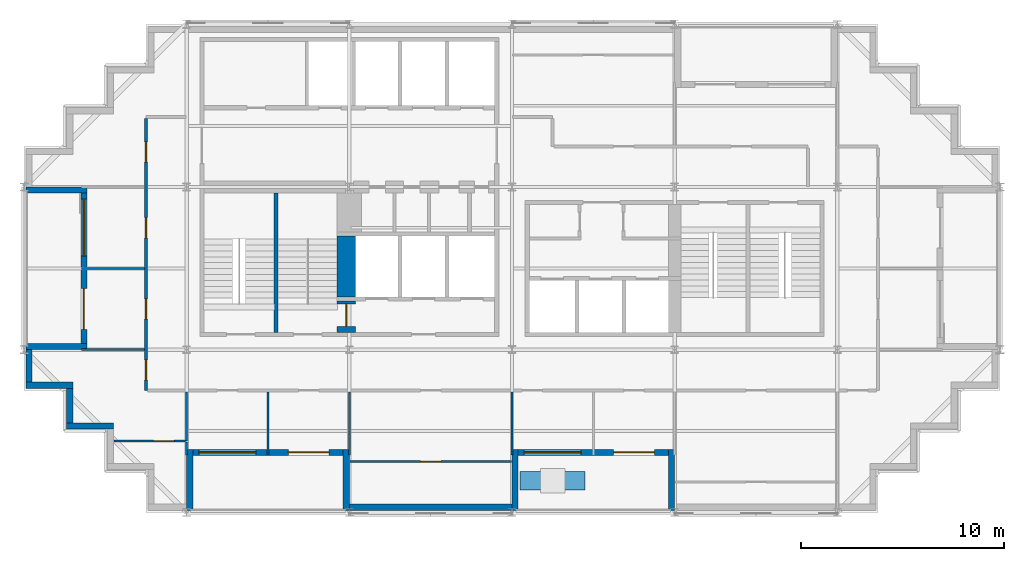
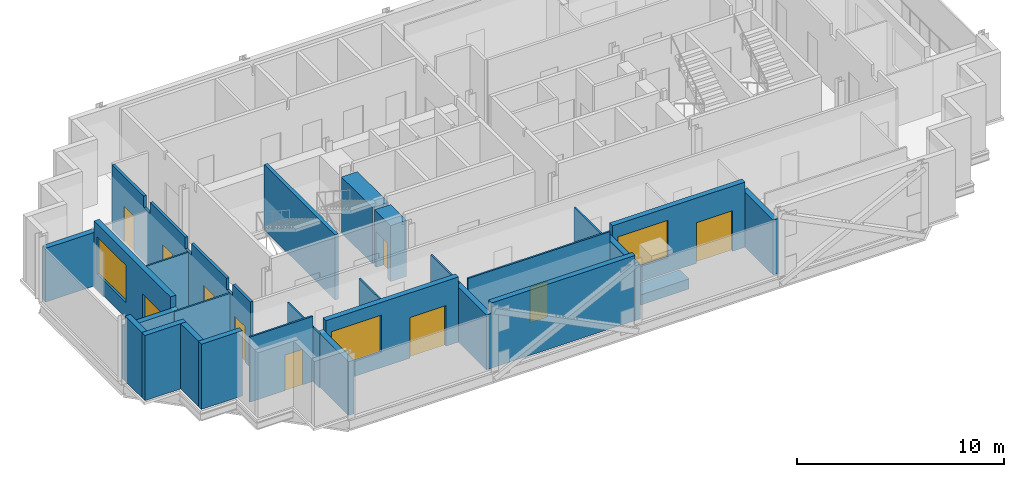
# One storey, part 4 of 10: 28 walls, 10 doors, 3 windows, 13 openings.
"""IFC4 building model written with IfcOpenShell, lengths in metres."""

from ifc_helpers import new_model, si_unit, direction, frame, frame_2d, origin, place, context, subcontext, project, spatial, polyline, rectangle, outline, extrude, material, layer, layer_set, type_object, element, fill, save


model = new_model("IFC4")

# Units and contexts
model_context = context("Model", 3, precision=1e-05, world=origin(), true_north=direction((0.0, 1.0)))
body_context = subcontext(model_context, "Body", "Model", "MODEL_VIEW")
ifc_project = project(units=[si_unit("LENGTHUNIT", "METRE"), si_unit("AREAUNIT", "SQUARE_METRE"), si_unit("VOLUMEUNIT", "CUBIC_METRE"), si_unit("PLANEANGLEUNIT", "RADIAN"), si_unit("MASSUNIT", "GRAM", prefix="KILO")], contexts=[model_context])

# Site, building, storey
site_placement = place(None, origin())
site = spatial("IfcSite", under=ifc_project, at=site_placement, CompositionType="ELEMENT")
building_placement = place(site_placement, origin())
building = spatial("IfcBuilding", under=site, at=building_placement, Name="Immortelle Media Tower", CompositionType="ELEMENT")
storey_placement = place(building_placement, frame((0.0, 0.0, 255.0)))
storey = spatial("IfcBuildingStorey", under=building, at=storey_placement, Name="L55", CompositionType="ELEMENT", Elevation=255.0)

# Wall, openings, doors
ifc_material_1 = material(Name="Fire-rated gypsum board", Category="gypsum")
ifc_layer_1 = layer(ifc_material_1, 0.012451171875)
ifc_material_2 = material(Name="Steel ASTM A653 SS Gr 50 stud frame with mineral wool", Category="steel")
ifc_layer_2 = layer(ifc_material_2, 0.125)
ifc_layer_3 = layer(ifc_material_1, 0.012451171875)
ifc_layer_set_1 = layer_set([ifc_layer_1, ifc_layer_2, ifc_layer_3], Name="Steel ASTM A653 SS Gr 50 stud frame with mineral wool")
wall_type_1 = type_object("IfcWallType", Name="Corridor wall 150", PredefinedType="PARTITIONING", material=ifc_layer_set_1)
wall_1_placement = place(storey_placement, frame((6.0, 6.0, 0.0), z_axis=(0.0, 0.0, 1.0), x_axis=(0.0, 1.0, 0.0)))
wall_1 = element("IfcWall", 1, at=wall_1_placement, inside=storey, type_object=wall_type_1, Name="Partition L55-014", PredefinedType="PARTITIONING", context=body_context, shape_type="SweptSolid", body=[
    extrude(outline(polyline([(0.0, 0.0), (13.375, 0.0), (13.375, 3.85009765625), (10.300048828125, 3.85009765625), (10.298095703125, 3.172119140625), (9.701904296875, 3.172119140625), (9.699951171875, 3.85009765625), (6.300048828125, 3.85009765625), (6.298095703125, 3.172119140625), (5.701904296875, 3.172119140625), (5.699951171875, 3.85009765625), (2.300048828125, 3.85009765625), (2.298095703125, 3.172119140625), (1.701904296875, 3.172119140625), (1.699951171875, 3.85009765625), (0.0, 3.85009765625), (0.0, 0.0)])), frame((0.0, 0.074951171875, 0.0), z_axis=(0.0, -1.0, 0.0), x_axis=(1.0, 0.0, 0.0)), (0.0, 0.0, 1.0), 0.14990234375),
])
opening_1_placement = place(wall_1_placement, frame((0.5, 0.0, 0.0)))
opening_1 = element("IfcOpeningElement", 2, at=opening_1_placement, cuts=wall_1, Name="Opening X1-F009", PredefinedType="OPENING", context=body_context, shape_type="SweptSolid", body=[
    extrude(rectangle(XDim=1.0, YDim=2.10009765625, at=frame_2d((0.5, 1.050048828125))), frame((0.0, 0.0849609375, 0.0), z_axis=(0.0, -1.0, 0.0), x_axis=(1.0, 0.0, 0.0)), (0.0, 0.0, 1.0), 0.169921875),
])
opening_2_placement = place(wall_1_placement, frame((3.5, 0.0, 0.0)))
opening_2 = element("IfcOpeningElement", 3, at=opening_2_placement, cuts=wall_1, Name="Opening X1-F012", PredefinedType="OPENING", context=body_context, shape_type="SweptSolid", body=[
    extrude(rectangle(XDim=1.0, YDim=2.10009765625, at=frame_2d((0.5, 1.050048828125))), frame((0.0, 0.0849609375, 0.0), z_axis=(0.0, -1.0, 0.0), x_axis=(1.0, 0.0, 0.0)), (0.0, 0.0, 1.0), 0.169921875),
])
opening_3_placement = place(wall_1_placement, frame((7.5, 0.0, 0.0)))
opening_3 = element("IfcOpeningElement", 4, at=opening_3_placement, cuts=wall_1, Name="Opening X1-F013", PredefinedType="OPENING", context=body_context, shape_type="SweptSolid", body=[
    extrude(rectangle(XDim=1.0, YDim=2.10009765625, at=frame_2d((0.5, 1.050048828125))), frame((0.0, 0.0849609375, 0.0), z_axis=(0.0, -1.0, 0.0), x_axis=(1.0, 0.0, 0.0)), (0.0, 0.0, 1.0), 0.169921875),
])
opening_4_placement = place(wall_1_placement, frame((11.22509765625, 0.0, 0.0)))
opening_4 = element("IfcOpeningElement", 5, at=opening_4_placement, cuts=wall_1, Name="Opening X1-F016", PredefinedType="OPENING", context=body_context, shape_type="SweptSolid", body=[
    extrude(rectangle(XDim=1.0, YDim=2.10009765625, at=frame_2d((0.5, 1.050048828125))), frame((0.0, 0.0849609375, 0.0), z_axis=(0.0, -1.0, 0.0), x_axis=(1.0, 0.0, 0.0)), (0.0, 0.0, 1.0), 0.169921875),
])
ifc_material_3 = material(Name="Timber veneered door leaf, galvanised steel frame ASTM A653", Category="steel")
door_type_1 = type_object("IfcDoorType", Name="Room door 1000 x 2100", OperationType="NOTDEFINED", PredefinedType="DOOR", material=ifc_material_3)
door_1_placement = place(opening_1_placement, origin())
door_1 = element("IfcDoor", 6, at=door_1_placement, inside=storey, type_object=door_type_1, Name="Door X1-F009", OperationType="SINGLE_SWING_RIGHT", OverallHeight=2.10009765625, OverallWidth=1.0, PredefinedType="DOOR", context=body_context, shape_type="SweptSolid", body=[
    extrude(rectangle(XDim=1.0, YDim=2.10009765625, at=frame_2d((0.5, 1.050048828125))), frame((0.0, 0.02490234375, 0.0), z_axis=(0.0, -1.0, 0.0), x_axis=(1.0, 0.0, 0.0)), (0.0, 0.0, 1.0), 0.050048828125),
])
fill(opening_1, door_1)
door_2_placement = place(opening_2_placement, origin())
door_2 = element("IfcDoor", 7, at=door_2_placement, inside=storey, type_object=door_type_1, Name="Door X1-F012", OperationType="SINGLE_SWING_LEFT", OverallHeight=2.10009765625, OverallWidth=1.0, PredefinedType="DOOR", context=body_context, shape_type="SweptSolid", body=[
    extrude(rectangle(XDim=1.0, YDim=2.10009765625, at=frame_2d((0.5, 1.050048828125))), frame((0.0, 0.02490234375, 0.0), z_axis=(0.0, -1.0, 0.0), x_axis=(1.0, 0.0, 0.0)), (0.0, 0.0, 1.0), 0.050048828125),
])
fill(opening_2, door_2)
door_3_placement = place(opening_3_placement, origin())
door_3 = element("IfcDoor", 8, at=door_3_placement, inside=storey, type_object=door_type_1, Name="Door X1-F013", OperationType="SINGLE_SWING_LEFT", OverallHeight=2.10009765625, OverallWidth=1.0, PredefinedType="DOOR", context=body_context, shape_type="SweptSolid", body=[
    extrude(rectangle(XDim=1.0, YDim=2.10009765625, at=frame_2d((0.5, 1.050048828125))), frame((0.0, 0.02490234375, 0.0), z_axis=(0.0, -1.0, 0.0), x_axis=(1.0, 0.0, 0.0)), (0.0, 0.0, 1.0), 0.050048828125),
])
fill(opening_3, door_3)
door_4_placement = place(opening_4_placement, origin())
door_4 = element("IfcDoor", 9, at=door_4_placement, inside=storey, type_object=door_type_1, Name="Door X1-F016", OperationType="SINGLE_SWING_LEFT", OverallHeight=2.10009765625, OverallWidth=1.0, PredefinedType="DOOR", context=body_context, shape_type="SweptSolid", body=[
    extrude(rectangle(XDim=1.0, YDim=2.10009765625, at=frame_2d((0.5, 1.050048828125))), frame((0.0, 0.02490234375, 0.0), z_axis=(0.0, -1.0, 0.0), x_axis=(1.0, 0.0, 0.0)), (0.0, 0.0, 1.0), 0.050048828125),
])
fill(opening_4, door_4)

# Walls
ifc_material_4 = material(Name="Pale aluminium cladding panel", Category="aluminium")
ifc_layer_4 = layer(ifc_material_4, 0.030029296875)
ifc_layer_5 = layer(ifc_material_2, 0.257568359375)
ifc_material_5 = material(Name="Moisture-resistant gypsum board", Category="gypsum")
ifc_layer_6 = layer(ifc_material_5, 0.012451171875)
ifc_layer_set_2 = layer_set([ifc_layer_4, ifc_layer_5, ifc_layer_6], Name="Steel ASTM A653 SS Gr 50 stud frame with mineral wool")
wall_type_2 = type_object("IfcWallType", Name="Facade wall 300", PredefinedType="SOLIDWALL", material=ifc_layer_set_2)
wall_2_placement = place(storey_placement, frame((0.10009765625, 6.25, 0.0), z_axis=(0.0, 0.0, 1.0), x_axis=(1.0, 0.0, 0.0)))
element("IfcWall", 10, at=wall_2_placement, inside=storey, type_object=wall_type_2, Name="Facade wall L55 S0", PredefinedType="SOLIDWALL", context=body_context, shape_type="SweptSolid", body=[
    extrude(rectangle(XDim=2.2998046875, YDim=0.300048828125, at=frame_2d((1.14990234375, 0.0))), origin(), (0.0, 0.0, 1.0), 3.85009765625),
])
wall_3_placement = place(storey_placement, frame((2.25, 6.10009765625, 0.0), z_axis=(0.0, 0.0, 1.0), x_axis=(0.0, -1.0, 0.0)))
element("IfcWall", 11, at=wall_3_placement, inside=storey, type_object=wall_type_2, Name="Facade wall L55 W1", PredefinedType="SOLIDWALL", context=body_context, shape_type="SweptSolid", body=[
    extrude(rectangle(XDim=1.7001953125, YDim=0.300048828125, at=frame_2d((0.85009765625, 0.0))), origin(), (0.0, 0.0, 1.0), 3.85009765625),
])
wall_4_placement = place(storey_placement, frame((2.10009765625, 4.25, 0.0), z_axis=(0.0, 0.0, 1.0), x_axis=(1.0, 0.0, 0.0)))
element("IfcWall", 12, at=wall_4_placement, inside=storey, type_object=wall_type_2, Name="Facade wall L55 S2", PredefinedType="SOLIDWALL", context=body_context, shape_type="SweptSolid", body=[
    extrude(rectangle(XDim=2.2998046875, YDim=0.300048828125, at=frame_2d((1.14990234375, 0.0))), origin(), (0.0, 0.0, 1.0), 3.85009765625),
])

# Wall, openings, door, window
wall_5_placement = place(storey_placement, frame((8.300048828125, 2.949951171875, 0.0), z_axis=(0.0, 0.0, 1.0), x_axis=(1.0, 0.0, 0.0)))
wall_5 = element("IfcWall", 13, at=wall_5_placement, inside=storey, type_object=wall_type_2, Name="Loggia wall L55 S6", PredefinedType="SOLIDWALL", context=body_context, shape_type="SweptSolid", body=[
    extrude(rectangle(XDim=7.39990234375, YDim=0.300048828125, at=frame_2d((3.699951171875, 0.0))), origin(), (0.0, 0.0, 1.0), 3.85009765625),
])
opening_5_placement = place(wall_5_placement, frame((0.300048828125, 0.0, 0.89990234375)))
opening_5 = element("IfcOpeningElement", 14, at=opening_5_placement, cuts=wall_5, Name="Opening W1", PredefinedType="OPENING", context=body_context, shape_type="SweptSolid", body=[
    extrude(rectangle(XDim=2.800048828125, YDim=2.199951171875, at=frame_2d((1.39990234375, 1.10009765625))), frame((0.0, 0.159912109375, 0.0), z_axis=(0.0, -1.0, 0.0), x_axis=(1.0, 0.0, 0.0)), (0.0, 0.0, 1.0), 0.320068359375),
])
opening_6_placement = place(wall_5_placement, frame((4.699951171875, 0.0, 0.0)))
opening_6 = element("IfcOpeningElement", 15, at=opening_6_placement, cuts=wall_5, Name="Opening X1-E001", PredefinedType="OPENING", context=body_context, shape_type="SweptSolid", body=[
    extrude(rectangle(XDim=2.0, YDim=2.39990234375, at=frame_2d((1.0, 1.199951171875))), frame((0.0, 0.159912109375, 0.0), z_axis=(0.0, -1.0, 0.0), x_axis=(1.0, 0.0, 0.0)), (0.0, 0.0, 1.0), 0.320068359375),
])
ifc_material_6 = material(Name="Aluminium frame, glazed leaves", Category="aluminium")
door_type_2 = type_object("IfcDoorType", Name="Loggia door 2000 x 2400", OperationType="DOUBLE_DOOR_SINGLE_SWING", PredefinedType="DOOR", material=ifc_material_6)
door_5_placement = place(opening_6_placement, origin())
door_5 = element("IfcDoor", 16, at=door_5_placement, inside=storey, type_object=door_type_2, Name="Door X1-E001", OperationType="DOUBLE_DOOR_SINGLE_SWING", OverallHeight=2.39990234375, OverallWidth=2.0, PredefinedType="DOOR", context=body_context, shape_type="SweptSolid", body=[
    extrude(rectangle(XDim=2.0, YDim=2.39990234375, at=frame_2d((1.0, 1.199951171875))), frame((0.0, 0.02490234375, 0.0), z_axis=(0.0, -1.0, 0.0), x_axis=(1.0, 0.0, 0.0)), (0.0, 0.0, 1.0), 0.050048828125),
])
fill(opening_6, door_5)
ifc_material_7 = material(Name="Aluminium frame", Category="aluminium")
window_type = type_object("IfcWindowType", Name="Window 2800 x 2200", PartitioningType="SINGLE_PANEL", PredefinedType="WINDOW", material=ifc_material_7)
window_1_placement = place(opening_5_placement, origin())
window_1 = element("IfcWindow", 17, at=window_1_placement, inside=storey, type_object=window_type, Name="Window L55 L55-R6-B0", OverallHeight=2.199951171875, OverallWidth=2.800048828125, PartitioningType="SINGLE_PANEL", PredefinedType="WINDOW", context=body_context, shape_type="SweptSolid", body=[
    extrude(rectangle(XDim=2.800048828125, YDim=2.199951171875, at=frame_2d((1.39990234375, 1.10009765625))), frame((0.0, 0.030029296875, 0.0), z_axis=(0.0, -1.0, 0.0), x_axis=(1.0, 0.0, 0.0)), (0.0, 0.0, 1.0), 0.06005859375),
])
fill(opening_5, window_1)

# Walls
wall_6_placement = place(storey_placement, frame((8.14990234375, 0.10009765625, 0.0), z_axis=(0.0, 0.0, 1.0), x_axis=(0.0, 1.0, 0.0)))
element("IfcWall", 18, at=wall_6_placement, inside=storey, type_object=wall_type_2, Name="Loggia cheek wall L55 S", PredefinedType="SOLIDWALL", context=body_context, shape_type="SweptSolid", body=[
    extrude(rectangle(XDim=3.0, YDim=0.300048828125, at=frame_2d((1.5, 0.0))), origin(), (0.0, 0.0, 1.0), 3.1708984375),
])
wall_7_placement = place(storey_placement, frame((15.85009765625, 0.10009765625, 0.0), z_axis=(0.0, 0.0, 1.0), x_axis=(0.0, 1.0, 0.0)))
element("IfcWall", 19, at=wall_7_placement, inside=storey, type_object=wall_type_2, Name="Loggia cheek wall L55 S", PredefinedType="SOLIDWALL", context=body_context, shape_type="SweptSolid", body=[
    extrude(rectangle(XDim=3.0, YDim=0.300048828125, at=frame_2d((1.5, 0.0))), origin(), (0.0, 0.0, 1.0), 3.237060546875),
])
wall_8_placement = place(storey_placement, frame((16.0, 0.25, 0.0), z_axis=(0.0, 0.0, 1.0), x_axis=(1.0, 0.0, 0.0)))
element("IfcWall", 20, at=wall_8_placement, inside=storey, type_object=wall_type_2, Name="Facade wall L55 S6", PredefinedType="SOLIDWALL", context=body_context, shape_type="SweptSolid", body=[
    extrude(rectangle(XDim=8.0, YDim=0.300048828125, at=frame_2d((4.0, 0.0))), origin(), (0.0, 0.0, 1.0), 3.85009765625),
])

# Wall, openings, door, window
wall_9_placement = place(storey_placement, frame((24.300048828125, 2.949951171875, 0.0), z_axis=(0.0, 0.0, 1.0), x_axis=(1.0, 0.0, 0.0)))
wall_9 = element("IfcWall", 21, at=wall_9_placement, inside=storey, type_object=wall_type_2, Name="Loggia wall L55 S6", PredefinedType="SOLIDWALL", context=body_context, shape_type="SweptSolid", body=[
    extrude(rectangle(XDim=7.39990234375, YDim=0.300048828125, at=frame_2d((3.699951171875, 0.0))), origin(), (0.0, 0.0, 1.0), 3.85009765625),
])
opening_7_placement = place(wall_9_placement, frame((0.300048828125, 0.0, 0.89990234375)))
opening_7 = element("IfcOpeningElement", 22, at=opening_7_placement, cuts=wall_9, Name="Opening W1", PredefinedType="OPENING", context=body_context, shape_type="SweptSolid", body=[
    extrude(rectangle(XDim=2.800048828125, YDim=2.199951171875, at=frame_2d((1.39990234375, 1.10009765625))), frame((0.0, 0.159912109375, 0.0), z_axis=(0.0, -1.0, 0.0), x_axis=(1.0, 0.0, 0.0)), (0.0, 0.0, 1.0), 0.320068359375),
])
opening_8_placement = place(wall_9_placement, frame((4.699951171875, 0.0, 0.0)))
opening_8 = element("IfcOpeningElement", 23, at=opening_8_placement, cuts=wall_9, Name="Opening X1-E002", PredefinedType="OPENING", context=body_context, shape_type="SweptSolid", body=[
    extrude(rectangle(XDim=2.0, YDim=2.39990234375, at=frame_2d((1.0, 1.199951171875))), frame((0.0, 0.159912109375, 0.0), z_axis=(0.0, -1.0, 0.0), x_axis=(1.0, 0.0, 0.0)), (0.0, 0.0, 1.0), 0.320068359375),
])
door_6_placement = place(opening_8_placement, origin())
door_6 = element("IfcDoor", 24, at=door_6_placement, inside=storey, type_object=door_type_2, Name="Door X1-E002", OperationType="DOUBLE_DOOR_SINGLE_SWING", OverallHeight=2.39990234375, OverallWidth=2.0, PredefinedType="DOOR", context=body_context, shape_type="SweptSolid", body=[
    extrude(rectangle(XDim=2.0, YDim=2.39990234375, at=frame_2d((1.0, 1.199951171875))), frame((0.0, 0.02490234375, 0.0), z_axis=(0.0, -1.0, 0.0), x_axis=(1.0, 0.0, 0.0)), (0.0, 0.0, 1.0), 0.050048828125),
])
fill(opening_8, door_6)
window_2_placement = place(opening_7_placement, origin())
window_2 = element("IfcWindow", 25, at=window_2_placement, inside=storey, type_object=window_type, Name="Window L55 L55-R6-B2", OverallHeight=2.199951171875, OverallWidth=2.800048828125, PartitioningType="SINGLE_PANEL", PredefinedType="WINDOW", context=body_context, shape_type="SweptSolid", body=[
    extrude(rectangle(XDim=2.800048828125, YDim=2.199951171875, at=frame_2d((1.39990234375, 1.10009765625))), frame((0.0, 0.030029296875, 0.0), z_axis=(0.0, -1.0, 0.0), x_axis=(1.0, 0.0, 0.0)), (0.0, 0.0, 1.0), 0.06005859375),
])
fill(opening_7, window_2)

# Walls
for number, where, z_axis, x_axis, name in (
    (26, (24.14990234375, 0.10009765625, 0.0), (0.0, 0.0, 1.0), (0.0, 1.0, 0.0), "Loggia cheek wall L55 S"),
    (27, (31.85009765625, 0.10009765625, 0.0), (0.0, 0.0, 1.0), (0.0, 1.0, 0.0), "Loggia cheek wall L55 S"),
):
    element("IfcWall", number, at=place(storey_placement, frame(where, z_axis=z_axis, x_axis=x_axis)), inside=storey, type_object=wall_type_2, Name=name, PredefinedType="SOLIDWALL", context=body_context, shape_type="SweptSolid", body=[
        extrude(rectangle(XDim=3.0, YDim=0.300048828125, at=frame_2d((1.5, 0.0))), origin(), (0.0, 0.0, 1.0), 3.237060546875),
    ])

# Wall, openings, door, window
wall_10_placement = place(storey_placement, frame((2.949951171875, 15.699951171875, 0.0), z_axis=(0.0, 0.0, 1.0), x_axis=(0.0, -1.0, 0.0)))
wall_10 = element("IfcWall", 28, at=wall_10_placement, inside=storey, type_object=wall_type_2, Name="Loggia wall L55 W27", PredefinedType="SOLIDWALL", context=body_context, shape_type="SweptSolid", body=[
    extrude(rectangle(XDim=7.39990234375, YDim=0.300048828125, at=frame_2d((3.699951171875, 0.0))), origin(), (0.0, 0.0, 1.0), 3.85009765625),
])
opening_9_placement = place(wall_10_placement, frame((0.300048828125, 0.0, 0.89990234375)))
opening_9 = element("IfcOpeningElement", 29, at=opening_9_placement, cuts=wall_10, Name="Opening W1", PredefinedType="OPENING", context=body_context, shape_type="SweptSolid", body=[
    extrude(rectangle(XDim=2.800048828125, YDim=2.199951171875, at=frame_2d((1.39990234375, 1.10009765625))), frame((0.0, 0.159912109375, 0.0), z_axis=(0.0, -1.0, 0.0), x_axis=(1.0, 0.0, 0.0)), (0.0, 0.0, 1.0), 0.320068359375),
])
opening_10_placement = place(wall_10_placement, frame((4.699951171875, 0.0, 0.0)))
opening_10 = element("IfcOpeningElement", 30, at=opening_10_placement, cuts=wall_10, Name="Opening X1-E006", PredefinedType="OPENING", context=body_context, shape_type="SweptSolid", body=[
    extrude(rectangle(XDim=2.0, YDim=2.39990234375, at=frame_2d((1.0, 1.199951171875))), frame((0.0, 0.159912109375, 0.0), z_axis=(0.0, -1.0, 0.0), x_axis=(1.0, 0.0, 0.0)), (0.0, 0.0, 1.0), 0.320068359375),
])
door_7_placement = place(opening_10_placement, origin())
door_7 = element("IfcDoor", 31, at=door_7_placement, inside=storey, type_object=door_type_2, Name="Door X1-E006", OperationType="DOUBLE_DOOR_SINGLE_SWING", OverallHeight=2.39990234375, OverallWidth=2.0, PredefinedType="DOOR", context=body_context, shape_type="SweptSolid", body=[
    extrude(rectangle(XDim=2.0, YDim=2.39990234375, at=frame_2d((1.0, 1.199951171875))), frame((0.0, 0.02490234375, 0.0), z_axis=(0.0, -1.0, 0.0), x_axis=(1.0, 0.0, 0.0)), (0.0, 0.0, 1.0), 0.050048828125),
])
fill(opening_10, door_7)
window_3_placement = place(opening_9_placement, origin())
window_3 = element("IfcWindow", 32, at=window_3_placement, inside=storey, type_object=window_type, Name="Window L55 L55-R27-B0", OverallHeight=2.199951171875, OverallWidth=2.800048828125, PartitioningType="SINGLE_PANEL", PredefinedType="WINDOW", context=body_context, shape_type="SweptSolid", body=[
    extrude(rectangle(XDim=2.800048828125, YDim=2.199951171875, at=frame_2d((1.39990234375, 1.10009765625))), frame((0.0, 0.030029296875, 0.0), z_axis=(0.0, -1.0, 0.0), x_axis=(1.0, 0.0, 0.0)), (0.0, 0.0, 1.0), 0.06005859375),
])
fill(opening_9, window_3)

# Walls
for number, where, z_axis, x_axis, name in (
    (33, (0.10009765625, 15.85009765625, 0.0), (0.0, 0.0, 1.0), (1.0, 0.0, 0.0), "Loggia cheek wall L55 W"),
    (34, (0.10009765625, 8.14990234375, 0.0), (0.0, 0.0, 1.0), (1.0, 0.0, 0.0), "Loggia cheek wall L55 W"),
):
    element("IfcWall", number, at=place(storey_placement, frame(where, z_axis=z_axis, x_axis=x_axis)), inside=storey, type_object=wall_type_2, Name=name, PredefinedType="SOLIDWALL", context=body_context, shape_type="SweptSolid", body=[
        extrude(rectangle(XDim=3.0, YDim=0.300048828125, at=frame_2d((1.5, 0.0))), origin(), (0.0, 0.0, 1.0), 3.1708984375),
    ])
wall_11_placement = place(storey_placement, frame((0.25, 8.0, 0.0), z_axis=(0.0, 0.0, 1.0), x_axis=(0.0, -1.0, 0.0)))
element("IfcWall", 35, at=wall_11_placement, inside=storey, type_object=wall_type_2, Name="Facade wall L55 W27", PredefinedType="SOLIDWALL", context=body_context, shape_type="SweptSolid", body=[
    extrude(rectangle(XDim=1.60009765625, YDim=0.300048828125, at=frame_2d((0.800048828125, 0.0))), origin(), (0.0, 0.0, 1.0), 3.85009765625),
])

# Wall, opening, door
ifc_material_8 = material(Name="Gypsum board", Category="gypsum")
ifc_layer_7 = layer(ifc_material_8, 0.012451171875)
ifc_layer_8 = layer(ifc_material_2, 0.074951171875)
ifc_layer_9 = layer(ifc_material_8, 0.012451171875)
ifc_layer_set_3 = layer_set([ifc_layer_7, ifc_layer_8, ifc_layer_9], Name="Steel ASTM A653 SS Gr 50 stud frame with mineral wool")
wall_type_3 = type_object("IfcWallType", Name="Partition 100", PredefinedType="PARTITIONING", material=ifc_layer_set_3)
wall_12_placement = place(storey_placement, frame((16.030029296875, 2.5, 0.0), z_axis=(0.0, 0.0, 1.0), x_axis=(1.0, 0.0, 0.0)))
wall_12 = element("IfcWall", 36, at=wall_12_placement, inside=storey, type_object=wall_type_3, Name="Partition L55-004", PredefinedType="PARTITIONING", context=body_context, shape_type="SweptSolid", body=[
    extrude(rectangle(XDim=7.93994140625, YDim=0.10009765625, at=frame_2d((3.969970703125, 0.0))), origin(), (0.0, 0.0, 1.0), 3.85009765625),
])
opening_11_placement = place(wall_12_placement, frame((3.469970703125, 0.0, 0.0)))
opening_11 = element("IfcOpeningElement", 37, at=opening_11_placement, cuts=wall_12, Name="Opening X1-F002", PredefinedType="OPENING", context=body_context, shape_type="SweptSolid", body=[
    extrude(rectangle(XDim=1.0, YDim=2.10009765625, at=frame_2d((0.5, 1.050048828125))), frame((0.0, 0.06005859375, 0.0), z_axis=(0.0, -1.0, 0.0), x_axis=(1.0, 0.0, 0.0)), (0.0, 0.0, 1.0), 0.1201171875),
])
door_8_placement = place(opening_11_placement, origin())
door_8 = element("IfcDoor", 38, at=door_8_placement, inside=storey, type_object=door_type_1, Name="Door X1-F002", OperationType="SINGLE_SWING_RIGHT", OverallHeight=2.10009765625, OverallWidth=1.0, PredefinedType="DOOR", context=body_context, shape_type="SweptSolid", body=[
    extrude(rectangle(XDim=1.0, YDim=2.10009765625, at=frame_2d((0.5, 1.050048828125))), frame((0.0, 0.02490234375, 0.0), z_axis=(0.0, -1.0, 0.0), x_axis=(1.0, 0.0, 0.0)), (0.0, 0.0, 1.0), 0.050048828125),
])
fill(opening_11, door_8)

# Walls
wall_13_placement = place(storey_placement, frame((8.0, 2.830078125, 0.0), z_axis=(0.0, 0.0, 1.0), x_axis=(0.0, 1.0, 0.0)))
element("IfcWall", 39, at=wall_13_placement, inside=storey, type_object=wall_type_3, Name="Partition L55-005", PredefinedType="PARTITIONING", context=body_context, shape_type="SweptSolid", body=[
    extrude(rectangle(XDim=0.619873046875, YDim=0.10009765625, at=frame_2d((0.31005859375, 0.0))), origin(), (0.0, 0.0, 1.0), 3.172119140625),
])
for number, where, z_axis, x_axis, name in (
    (40, (12.0, 2.830078125, 0.0), (0.0, 0.0, 1.0), (0.0, 1.0, 0.0), "Partition L55-006"),
    (41, (16.0, 2.830078125, 0.0), (0.0, 0.0, 1.0), (0.0, 1.0, 0.0), "Partition L55-007"),
    (42, (24.0, 2.830078125, 0.0), (0.0, 0.0, 1.0), (0.0, 1.0, 0.0), "Partition L55-008"),
):
    element("IfcWall", number, at=place(storey_placement, frame(where, z_axis=z_axis, x_axis=x_axis)), inside=storey, type_object=wall_type_3, Name=name, PredefinedType="PARTITIONING", context=body_context, shape_type="SweptSolid", body=[
        extrude(rectangle(XDim=3.094970703125, YDim=0.10009765625, at=frame_2d((1.54736328125, 0.0))), origin(), (0.0, 0.0, 1.0), 3.172119140625),
    ])

# Wall, opening, door
wall_14_placement = place(storey_placement, frame((4.429931640625, 3.5, 0.0), z_axis=(0.0, 0.0, 1.0), x_axis=(1.0, 0.0, 0.0)))
wall_14 = element("IfcWall", 43, at=wall_14_placement, inside=storey, type_object=wall_type_3, Name="Partition L55-011", PredefinedType="PARTITIONING", context=body_context, shape_type="SweptSolid", body=[
    extrude(rectangle(XDim=3.52001953125, YDim=0.10009765625, at=frame_2d((1.760009765625, 0.0))), origin(), (0.0, 0.0, 1.0), 3.85009765625),
])
opening_12_placement = place(wall_14_placement, frame((1.949951171875, 0.0, 0.0)))
opening_12 = element("IfcOpeningElement", 44, at=opening_12_placement, cuts=wall_14, Name="Opening X1-F010", PredefinedType="OPENING", context=body_context, shape_type="SweptSolid", body=[
    extrude(rectangle(XDim=1.0, YDim=2.10009765625, at=frame_2d((0.5, 1.050048828125))), frame((0.0, 0.06005859375, 0.0), z_axis=(0.0, -1.0, 0.0), x_axis=(1.0, 0.0, 0.0)), (0.0, 0.0, 1.0), 0.1201171875),
])
door_9_placement = place(opening_12_placement, origin())
door_9 = element("IfcDoor", 45, at=door_9_placement, inside=storey, type_object=door_type_1, Name="Door X1-F010", OperationType="SINGLE_SWING_RIGHT", OverallHeight=2.10009765625, OverallWidth=1.0, PredefinedType="DOOR", context=body_context, shape_type="SweptSolid", body=[
    extrude(rectangle(XDim=1.0, YDim=2.10009765625, at=frame_2d((0.5, 1.050048828125))), frame((0.0, 0.02490234375, 0.0), z_axis=(0.0, -1.0, 0.0), x_axis=(1.0, 0.0, 0.0)), (0.0, 0.0, 1.0), 0.050048828125),
])
fill(opening_12, door_9)

# Walls
wall_15_placement = place(storey_placement, frame((8.0, 3.5, 0.0), z_axis=(0.0, 0.0, 1.0), x_axis=(0.0, 1.0, 0.0)))
element("IfcWall", 46, at=wall_15_placement, inside=storey, type_object=wall_type_3, Name="Partition L55-012", PredefinedType="PARTITIONING", context=body_context, shape_type="SweptSolid", body=[
    extrude(rectangle(XDim=2.425048828125, YDim=0.10009765625, at=frame_2d((1.21240234375, 0.0))), origin(), (0.0, 0.0, 1.0), 3.172119140625),
])
for number, where, z_axis, x_axis, name in (
    (47, (2.830078125, 8.0, 0.0), (0.0, 0.0, 1.0), (1.0, 0.0, 0.0), "Partition L55-016"),
    (48, (2.830078125, 12.0, 0.0), (0.0, 0.0, 1.0), (1.0, 0.0, 0.0), "Partition L55-018"),
):
    element("IfcWall", number, at=place(storey_placement, frame(where, z_axis=z_axis, x_axis=x_axis)), inside=storey, type_object=wall_type_3, Name=name, PredefinedType="PARTITIONING", context=body_context, shape_type="SweptSolid", body=[
        extrude(rectangle(XDim=3.094970703125, YDim=0.10009765625, at=frame_2d((1.54736328125, 0.0))), origin(), (0.0, 0.0, 1.0), 3.172119140625),
    ])
ifc_layer_10 = layer(ifc_material_4, 0.0029296875)
ifc_material_9 = material(Name="Steel ASTM A572 Gr 50 planter shell", Category="steel")
ifc_layer_11 = layer(ifc_material_9, 0.011962890625)
ifc_material_10 = material(Name="Planting substrate", Category="soil")
ifc_layer_12 = layer(ifc_material_10, 0.873046875)
ifc_layer_13 = layer(ifc_material_9, 0.011962890625)
ifc_layer_set_4 = layer_set([ifc_layer_10, ifc_layer_11, ifc_layer_12, ifc_layer_13], Name="Steel ASTM A572 Gr 50 planter shell")
wall_type_4 = type_object("IfcWallType", Name="Planter wall 900", PredefinedType="SOLIDWALL", material=ifc_layer_set_4)
wall_16_placement = place(storey_placement, frame((24.39990234375, 1.550048828125, 0.0), z_axis=(0.0, 0.0, 1.0), x_axis=(1.0, 0.0, 0.0)))
element("IfcWall", 49, at=wall_16_placement, inside=storey, type_object=wall_type_4, Name="Planter L55 S2", PredefinedType="SOLIDWALL", context=body_context, shape_type="SweptSolid", body=[
    extrude(rectangle(XDim=3.2001953125, YDim=0.89990234375, at=frame_2d((1.60009765625, 0.0))), origin(), (0.0, 0.0, 1.0), 0.60009765625),
])
ifc_material_11 = material(Name="Concrete C60", Category="concrete")
ifc_layer_14 = layer(ifc_material_11, 0.199951171875)
ifc_layer_set_5 = layer_set([ifc_layer_14], Name="Concrete C60")
wall_type_5 = type_object("IfcWallType", Name="Stair shaft wall 200", PredefinedType="PARTITIONING", material=ifc_layer_set_5)
wall_17_placement = place(storey_placement, frame((12.39990234375, 8.85009765625, 0.0), z_axis=(0.0, 0.0, 1.0), x_axis=(0.0, 1.0, 0.0)))
element("IfcWall", 50, at=wall_17_placement, inside=storey, type_object=wall_type_5, Name="Stair shaft wall SW", PredefinedType="PARTITIONING", context=body_context, shape_type="SweptSolid", body=[
    extrude(rectangle(XDim=6.849853515625, YDim=0.199951171875, at=frame_2d((3.4248046875, 0.0))), origin(), (0.0, 0.0, 1.0), 3.85009765625),
])

# Wall, opening, door
ifc_layer_15 = layer(ifc_material_11, 0.89990234375)
ifc_layer_set_6 = layer_set([ifc_layer_15], Name="Concrete C60")
wall_type_6 = type_object("IfcWallType", Name="Stair shaft wall 900", PredefinedType="PARTITIONING", material=ifc_layer_set_6)
wall_18_placement = place(storey_placement, frame((15.85009765625, 8.85009765625, 0.0), z_axis=(0.0, 0.0, 1.0), x_axis=(0.0, 1.0, 0.0)))
wall_18 = element("IfcWall", 51, at=wall_18_placement, inside=storey, type_object=wall_type_6, Name="Stair shaft wall SW", PredefinedType="PARTITIONING", context=body_context, shape_type="SweptSolid", body=[
    extrude(rectangle(XDim=1.5498046875, YDim=0.89990234375, at=frame_2d((0.77490234375, 0.0))), origin(), (0.0, 0.0, 1.0), 3.30810546875),
])
opening_13_placement = place(wall_18_placement, frame((0.300048828125, 0.0, 0.0)))
opening_13 = element("IfcOpeningElement", 52, at=opening_13_placement, cuts=wall_18, Name="Opening X1-K006", PredefinedType="OPENING", context=body_context, shape_type="SweptSolid", body=[
    extrude(rectangle(XDim=1.10009765625, YDim=2.10009765625, at=frame_2d((0.550048828125, 1.050048828125))), frame((0.0, 0.4599609375, 0.0), z_axis=(0.0, -1.0, 0.0), x_axis=(1.0, 0.0, 0.0)), (0.0, 0.0, 1.0), 0.919921875),
])
ifc_material_12 = material(Name="Galvanised steel door leaf and frame ASTM A653", Category="steel")
door_type_3 = type_object("IfcDoorType", Name="Stair lobby door 1100 x 2100", OperationType="NOTDEFINED", PredefinedType="NOTDEFINED", material=ifc_material_12)
door_10_placement = place(opening_13_placement, origin())
door_10 = element("IfcDoor", 53, at=door_10_placement, inside=storey, type_object=door_type_3, Name="Stair lobby X1-K006", OperationType="SINGLE_SWING_LEFT", OverallHeight=2.10009765625, OverallWidth=1.10009765625, PredefinedType="NOTDEFINED", context=body_context, shape_type="SweptSolid", body=[
    extrude(rectangle(XDim=1.10009765625, YDim=2.10009765625, at=frame_2d((0.550048828125, 1.050048828125))), frame((0.0, 0.02490234375, 0.0), z_axis=(0.0, -1.0, 0.0), x_axis=(1.0, 0.0, 0.0)), (0.0, 0.0, 1.0), 0.050048828125),
])
fill(opening_13, door_10)

# Wall
wall_19_placement = place(storey_placement, frame((15.85009765625, 10.60009765625, 0.0), z_axis=(0.0, 0.0, 1.0), x_axis=(0.0, 1.0, 0.0)))
element("IfcWall", 54, at=wall_19_placement, inside=storey, type_object=wall_type_6, Name="Stair shaft wall SW", PredefinedType="PARTITIONING", context=body_context, shape_type="SweptSolid", body=[
    extrude(rectangle(XDim=3.0, YDim=0.89990234375, at=frame_2d((1.5, 0.0))), origin(), (0.0, 0.0, 1.0), 3.30810546875),
])

save(model, "model.ifc")
